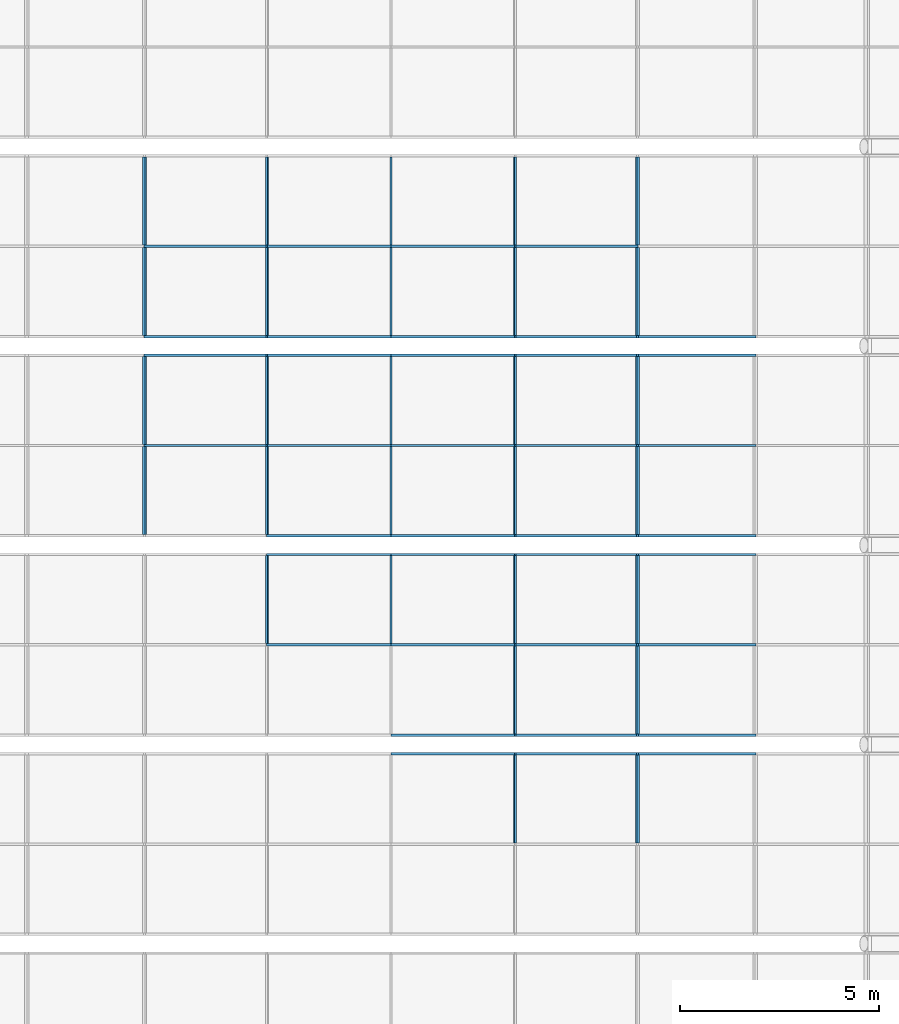
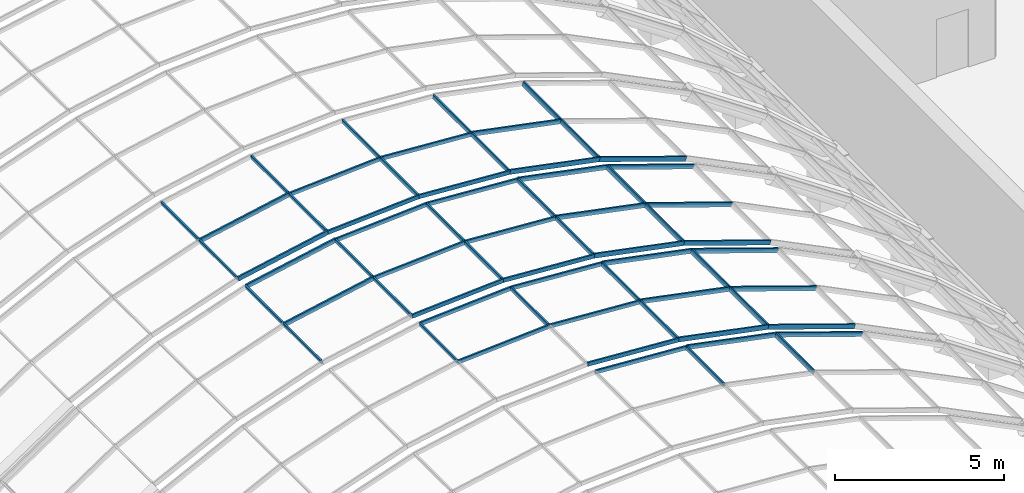
# One storey, part 76 of 182: 65 members, 4 elements without a shape of their own.
"""IFC4 building model written with IfcOpenShell, lengths in metres."""

import ifcopenshell
import ifcopenshell.guid

model = None  # the IFC model being written
_history = None  # IfcOwnerHistory: only IFC2X3 demands one
_inside = {}  # id of a spatial element -> (the spatial element, [elements in it])
_under = {}  # id of a project, library or spatial element -> (it, [spatial elements below it])
_declared = {}  # id of a project -> (the project, [libraries it declares])
_typed = {}  # id of a type object -> (the type object, [elements of that type])
_made_of = {}  # id of a material, layer set ... -> (it, [elements and type objects made of it])


def new_model(schema):
    """Start an empty IFC model of exactly this schema.

    Asked for "IFC4X3", IfcOpenShell would pick the latest addendum, in which some entities
    have other attributes; the version numbers below select the first issue.
    IFC2X3 requires an IfcOwnerHistory on every rooted entity: one is made here for all.
    """
    global model, _history
    if schema == "IFC4X3":
        model = ifcopenshell.file(schema_version=(4, 3, 0, 0))
    else:
        model = ifcopenshell.file(schema=schema)
    _inside.clear()
    _under.clear()
    _declared.clear()
    _typed.clear()
    _made_of.clear()
    _history = None
    if model.schema == "IFC2X3":
        org = make("IfcOrganization", Name="unknown")
        user = make(
            "IfcPersonAndOrganization",
            ThePerson=make("IfcPerson", FamilyName="unknown"),
            TheOrganization=org,
        )
        app = make(
            "IfcApplication",
            ApplicationDeveloper=org,
            Version="unknown",
            ApplicationFullName="unknown",
            ApplicationIdentifier="unknown",
        )
        _history = make(
            "IfcOwnerHistory",
            OwningUser=user,
            OwningApplication=app,
            ChangeAction="ADDED",
            CreationDate=0,
        )
    return model


def make(cls, **values):
    """One entity of the class cls with the attributes given. An attribute that is None is left unset."""
    return model.create_entity(
        cls, **{name: value for name, value in values.items() if value is not None}
    )


def rooted(cls, **values):
    """An entity with a GlobalId (a new one), such as an element, a storey or a relation."""
    return make(cls, GlobalId=ifcopenshell.guid.new(), OwnerHistory=_history, **values)


def si_unit(unit_type, name, prefix=None):
    """IfcSIUnit, for example si_unit("LENGTHUNIT", "METRE", prefix="MILLI")."""
    return make("IfcSIUnit", UnitType=unit_type, Prefix=prefix, Name=name)


def assignment(units):
    """IfcUnitAssignment: the units of a project."""
    return None if units is None else make("IfcUnitAssignment", Units=units)


def point(xyz):
    """IfcCartesianPoint."""
    return None if xyz is None else make("IfcCartesianPoint", Coordinates=xyz)


def direction(xyz):
    """IfcDirection."""
    return None if xyz is None else make("IfcDirection", DirectionRatios=xyz)


def frame(location, z_axis=None, x_axis=None):
    """IfcAxis2Placement3D, a coordinate frame: its origin and axes. An axis left out is left unset."""
    return make(
        "IfcAxis2Placement3D",
        Location=point(location),
        Axis=direction(z_axis),
        RefDirection=direction(x_axis),
    )


def frame_2d(location, x_axis=None):
    """IfcAxis2Placement2D, a coordinate frame in the plane: its origin and x axis."""
    return make(
        "IfcAxis2Placement2D", Location=point(location), RefDirection=direction(x_axis)
    )


def origin():
    """The frame at (0, 0, 0) with its axes left unset."""
    return frame((0.0, 0.0, 0.0))


def origin_2d():
    """The frame at (0, 0) in the plane with its x axis left unset."""
    return frame_2d((0.0, 0.0))


def place(relative_to, where):
    """IfcLocalPlacement: puts the frame where relative to a parent placement (None: the world)."""
    return make(
        "IfcLocalPlacement", PlacementRelTo=relative_to, RelativePlacement=where
    )


def context(
    kind, dimensions, precision=None, world=None, true_north=None, identifier=None
):
    """IfcGeometricRepresentationContext, for example the 3D "Model" context."""
    return make(
        "IfcGeometricRepresentationContext",
        ContextIdentifier=identifier,
        ContextType=kind,
        CoordinateSpaceDimension=dimensions,
        Precision=precision,
        WorldCoordinateSystem=world,
        TrueNorth=true_north,
    )


def subcontext(parent, identifier, kind, view, scale=None):
    """IfcGeometricRepresentationSubContext, for example "Body" below "Model"."""
    return make(
        "IfcGeometricRepresentationSubContext",
        ContextIdentifier=identifier,
        ContextType=kind,
        ParentContext=parent,
        TargetScale=scale,
        TargetView=view,
    )


def project(units=None, contexts=None):
    """IfcProject with its units and contexts."""
    return rooted(
        "IfcProject",
        Name="project",
        RepresentationContexts=contexts,
        UnitsInContext=assignment(units),
    )


def spatial(cls, under=None, at=None, **own):
    """A site, building, storey or space (cls), placed at a placement, below another one or the project."""
    s = rooted(cls, ObjectPlacement=at, **own)
    if under is not None:
        _under.setdefault(under.id(), (under, []))[1].append(s)
    return s


def profile(cls, at=None, kind="AREA", **sizes):
    """A parametric profile (cls). Its sizes go by their IFC names, for example OverallWidth=200.0."""
    return make(cls, ProfileType=kind, Position=at, **sizes)


def rectangle(**sizes):
    """IfcRectangleProfileDef."""
    return profile("IfcRectangleProfileDef", **sizes)


def extrude(swept, where, along, depth):
    """IfcExtrudedAreaSolid: the profile swept, set in the frame where, extruded along a direction by depth."""
    return make(
        "IfcExtrudedAreaSolid",
        SweptArea=swept,
        Position=where,
        ExtrudedDirection=direction(along),
        Depth=depth,
    )


def shape(context_of_items, identifier, shape_type, items):
    """IfcShapeRepresentation: the items that make up one representation, for example the "Body"."""
    return make(
        "IfcShapeRepresentation",
        ContextOfItems=context_of_items,
        RepresentationIdentifier=identifier,
        RepresentationType=shape_type,
        Items=items,
    )


def material(Name=None, Category=None):
    """IfcMaterial."""
    return make("IfcMaterial", Name=Name, Category=Category)


def material_profile(
    of_material, cross_section, Name=None, Category=None, Priority=None
):
    """IfcMaterialProfile: a cross section and its material."""
    return make(
        "IfcMaterialProfile",
        Name=Name,
        Material=of_material,
        Profile=cross_section,
        Priority=Priority,
        Category=Category,
    )


def profile_set(profiles, Name=None, composite=None):
    """IfcMaterialProfileSet."""
    return make(
        "IfcMaterialProfileSet",
        Name=Name,
        MaterialProfiles=profiles,
        CompositeProfile=composite,
    )


def made_of(thing, what):
    """Note that an element or type object is made of a material, layer set ...; save() writes the relation."""
    if what is not None:
        _made_of.setdefault(what.id(), (what, []))[1].append(thing)
    return thing


def type_object(cls, material=None, **own):
    """A type object (cls), such as IfcWallType, which elements share."""
    return made_of(rooted(cls, **own), material)


def element(
    cls,
    number,
    at=None,
    inside=None,
    cuts=None,
    type_object=None,
    material=None,
    context=None,
    identifier="Body",
    shape_type=None,
    held_by="IfcProductDefinitionShape",
    body=None,
    shapes=None,
    **own,
):
    """One element of the class cls, such as IfcWall. Its Tag is "e" and its number.

    at: its placement. inside: the storey or other place that contains it. cuts: it is an
    opening in that element (IfcRelVoidsElement). A single representation is given by context,
    identifier, shape_type and body (its items); several are given by shapes. held_by: the class
    of the entity that holds the representations. save() writes the other relations.
    """
    e = rooted(cls, Tag="e%d" % number, ObjectPlacement=at, **own)
    if body is not None:
        shapes = [shape(context, identifier, shape_type, body)]
    if shapes is not None:
        e.Representation = make(held_by, Representations=shapes)
    if inside is not None:
        _inside.setdefault(inside.id(), (inside, []))[1].append(e)
    if cuts is not None:
        rooted(
            "IfcRelVoidsElement", RelatingBuildingElement=cuts, RelatedOpeningElement=e
        )
    if type_object is not None:
        _typed.setdefault(type_object.id(), (type_object, []))[1].append(e)
    return made_of(e, material)


def aggregate(whole, parts):
    """IfcRelAggregates: a whole, such as a stair, and the parts it consists of."""
    return rooted("IfcRelAggregates", RelatingObject=whole, RelatedObjects=parts)


def save(model, path):
    """Write the relations noted so far, then the file.

    IfcRelAggregates (storeys below a building ...), IfcRelContainedInSpatialStructure (elements
    in a storey), IfcRelDefinesByType, IfcRelAssociatesMaterial and IfcRelDeclares: one each for
    every whole, place, type object, material and project.
    """
    for whole, parts in _under.values():
        aggregate(whole, parts)
    for where, things in _inside.values():
        rooted(
            "IfcRelContainedInSpatialStructure",
            RelatedElements=things,
            RelatingStructure=where,
        )
    for kind, things in _typed.values():
        rooted("IfcRelDefinesByType", RelatedObjects=things, RelatingType=kind)
    for what, things in _made_of.values():
        rooted("IfcRelAssociatesMaterial", RelatedObjects=things, RelatingMaterial=what)
    for by, libraries in _declared.values():
        rooted("IfcRelDeclares", RelatingContext=by, RelatedDefinitions=libraries)
    model.write(path)


model = new_model("IFC4")

# Units and contexts
model_context = context("Model", 3, precision=1e-05, world=origin(), true_north=direction((0.0, 1.0)))
body_context = subcontext(model_context, "Body", "Model", "MODEL_VIEW")
ifc_project = project(units=[si_unit("LENGTHUNIT", "METRE"), si_unit("AREAUNIT", "SQUARE_METRE"), si_unit("VOLUMEUNIT", "CUBIC_METRE"), si_unit("PLANEANGLEUNIT", "RADIAN"), si_unit("MASSUNIT", "GRAM", prefix="KILO")], contexts=[model_context])

# Site, building, storey
site_placement = place(None, origin())
site = spatial("IfcSite", under=ifc_project, at=site_placement, CompositionType="ELEMENT")
building_placement = place(site_placement, origin())
building = spatial("IfcBuilding", under=site, at=building_placement, Name="Okhra Congress Centre", CompositionType="ELEMENT")
storey_placement = place(building_placement, frame((0.0, 0.0, 7.199951171875)))
storey = spatial("IfcBuildingStorey", under=building, at=storey_placement, Name="L01", CompositionType="ELEMENT", Elevation=7.199951171875)

# Curtain wall, member
ifc_material_1 = material(Name="Aluminium frame with triple glazing", Category="aluminium")
curtain_wall_type = type_object("IfcCurtainWallType", Name="Glazed vault bay curtain wall", PredefinedType="NOTDEFINED", material=ifc_material_1)
curtain_wall_1_placement = place(storey_placement, origin())
curtain_wall_1 = element("IfcCurtainWall", 1, at=curtain_wall_1_placement, inside=storey, type_object=curtain_wall_type, Name="Vault glazing bay 19", PredefinedType="NOTDEFINED")
ifc_material_2 = material(Name="Aluminium alloy 6063", Category="aluminium")
ifc_material_profile_1 = material_profile(ifc_material_2, rectangle(XDim=0.06005859375, YDim=0.139892578125, at=origin_2d()), Name="AL 60x140")
ifc_profile_set_1 = profile_set([ifc_material_profile_1], Name="Aluminium alloy 6063")
member_type_1 = type_object("IfcMemberType", Name="Aluminium mullion 60x140", PredefinedType="MULLION", material=ifc_profile_set_1)
member_1_placement = place(storey_placement, frame((172.25, 170.766845703125, 8.945068359375), z_axis=(0.997826129775, 0.0, -0.065901553385), x_axis=(0.0, 1.0, 0.0)))
member_1 = element("IfcMember", 2, at=member_1_placement, type_object=member_type_1, Name="Vault mullion 19.3.7", PredefinedType="MULLION", context=body_context, shape_type="SweptSolid", body=[
    extrude(rectangle(XDim=0.06005859375, YDim=0.139892578125, at=origin_2d()), origin(), (0.0, 0.0, 1.0), 3.123046875),
])

# Curtain wall, members
curtain_wall_2_placement = place(storey_placement, origin())
curtain_wall_2 = element("IfcCurtainWall", 3, at=curtain_wall_2_placement, inside=storey, type_object=curtain_wall_type, Name="Vault glazing bay 20", PredefinedType="NOTDEFINED")
member_2_placement = place(storey_placement, frame((172.25, 171.233154296875, 8.945068359375), z_axis=(0.997826129775, 0.0, -0.065901553385), x_axis=(0.0, 1.0, 0.0)))
member_2 = element("IfcMember", 4, at=member_2_placement, type_object=member_type_1, Name="Vault mullion 20.1.7", PredefinedType="MULLION", context=body_context, shape_type="SweptSolid", body=[
    extrude(rectangle(XDim=0.06005859375, YDim=0.139892578125, at=origin_2d()), origin(), (0.0, 0.0, 1.0), 3.123046875),
])
member_3_placement = place(storey_placement, frame((169.1337890625, 173.5, 8.7392578125), z_axis=(0.997826129775, 0.0, 0.065901553385), x_axis=(0.0, 1.0, 0.0)))
member_3 = element("IfcMember", 5, at=member_3_placement, type_object=member_type_1, Name="Vault mullion 20.2.6", PredefinedType="MULLION", context=body_context, shape_type="SweptSolid", body=[
    extrude(rectangle(XDim=0.06005859375, YDim=0.139892578125, at=origin_2d()), origin(), (0.0, 0.0, 1.0), 3.123046875),
])
member_4_placement = place(storey_placement, frame((172.25, 173.5, 8.945068359375), z_axis=(0.997826129775, 0.0, -0.065901553385), x_axis=(0.0, 1.0, 0.0)))
member_4 = element("IfcMember", 6, at=member_4_placement, type_object=member_type_1, Name="Vault mullion 20.2.7", PredefinedType="MULLION", context=body_context, shape_type="SweptSolid", body=[
    extrude(rectangle(XDim=0.06005859375, YDim=0.139892578125, at=origin_2d()), origin(), (0.0, 0.0, 1.0), 3.123046875),
])
member_5_placement = place(storey_placement, frame((169.1337890625, 175.766845703125, 8.7392578125), z_axis=(0.997826129775, 0.0, 0.065901553385), x_axis=(0.0, 1.0, 0.0)))
member_5 = element("IfcMember", 7, at=member_5_placement, type_object=member_type_1, Name="Vault mullion 20.3.6", PredefinedType="MULLION", context=body_context, shape_type="SweptSolid", body=[
    extrude(rectangle(XDim=0.06005859375, YDim=0.139892578125, at=origin_2d()), origin(), (0.0, 0.0, 1.0), 3.123046875),
])
member_6_placement = place(storey_placement, frame((172.25, 175.766845703125, 8.945068359375), z_axis=(0.997826129775, 0.0, -0.065901553385), x_axis=(0.0, 1.0, 0.0)))
member_6 = element("IfcMember", 8, at=member_6_placement, type_object=member_type_1, Name="Vault mullion 20.3.7", PredefinedType="MULLION", context=body_context, shape_type="SweptSolid", body=[
    extrude(rectangle(XDim=0.06005859375, YDim=0.139892578125, at=origin_2d()), origin(), (0.0, 0.0, 1.0), 3.123046875),
])

curtain_wall_3_placement = place(storey_placement, origin())
curtain_wall_3 = element("IfcCurtainWall", 9, at=curtain_wall_3_placement, inside=storey, type_object=curtain_wall_type, Name="Vault glazing bay 21", PredefinedType="NOTDEFINED")
member_7_placement = place(storey_placement, frame((169.1337890625, 176.233154296875, 8.7392578125), z_axis=(0.997826129775, 0.0, 0.065901553385), x_axis=(0.0, 1.0, 0.0)))
member_7 = element("IfcMember", 10, at=member_7_placement, type_object=member_type_1, Name="Vault mullion 21.1.6", PredefinedType="MULLION", context=body_context, shape_type="SweptSolid", body=[
    extrude(rectangle(XDim=0.06005859375, YDim=0.139892578125, at=origin_2d()), origin(), (0.0, 0.0, 1.0), 3.123046875),
])
member_8_placement = place(storey_placement, frame((172.25, 176.233154296875, 8.945068359375), z_axis=(0.997826129775, 0.0, -0.065901553385), x_axis=(0.0, 1.0, 0.0)))
member_8 = element("IfcMember", 11, at=member_8_placement, type_object=member_type_1, Name="Vault mullion 21.1.7", PredefinedType="MULLION", context=body_context, shape_type="SweptSolid", body=[
    extrude(rectangle(XDim=0.06005859375, YDim=0.139892578125, at=origin_2d()), origin(), (0.0, 0.0, 1.0), 3.123046875),
])
member_9_placement = place(storey_placement, frame((169.1337890625, 178.5, 8.7392578125), z_axis=(0.997826129775, 0.0, 0.065901553385), x_axis=(0.0, 1.0, 0.0)))
member_9 = element("IfcMember", 12, at=member_9_placement, type_object=member_type_1, Name="Vault mullion 21.2.6", PredefinedType="MULLION", context=body_context, shape_type="SweptSolid", body=[
    extrude(rectangle(XDim=0.06005859375, YDim=0.139892578125, at=origin_2d()), origin(), (0.0, 0.0, 1.0), 3.123046875),
])
member_10_placement = place(storey_placement, frame((172.25, 178.5, 8.945068359375), z_axis=(0.997826129775, 0.0, -0.065901553385), x_axis=(0.0, 1.0, 0.0)))
member_10 = element("IfcMember", 13, at=member_10_placement, type_object=member_type_1, Name="Vault mullion 21.2.7", PredefinedType="MULLION", context=body_context, shape_type="SweptSolid", body=[
    extrude(rectangle(XDim=0.06005859375, YDim=0.139892578125, at=origin_2d()), origin(), (0.0, 0.0, 1.0), 3.123046875),
])
member_11_placement = place(storey_placement, frame((169.1337890625, 180.766845703125, 8.7392578125), z_axis=(0.997826129775, 0.0, 0.065901553385), x_axis=(0.0, 1.0, 0.0)))
member_11 = element("IfcMember", 14, at=member_11_placement, type_object=member_type_1, Name="Vault mullion 21.3.6", PredefinedType="MULLION", context=body_context, shape_type="SweptSolid", body=[
    extrude(rectangle(XDim=0.06005859375, YDim=0.139892578125, at=origin_2d()), origin(), (0.0, 0.0, 1.0), 3.123046875),
])
member_12_placement = place(storey_placement, frame((172.25, 180.766845703125, 8.945068359375), z_axis=(0.997826129775, 0.0, -0.065901553385), x_axis=(0.0, 1.0, 0.0)))
member_12 = element("IfcMember", 15, at=member_12_placement, type_object=member_type_1, Name="Vault mullion 21.3.7", PredefinedType="MULLION", context=body_context, shape_type="SweptSolid", body=[
    extrude(rectangle(XDim=0.06005859375, YDim=0.139892578125, at=origin_2d()), origin(), (0.0, 0.0, 1.0), 3.123046875),
])

curtain_wall_4_placement = place(storey_placement, origin())
curtain_wall_4 = element("IfcCurtainWall", 16, at=curtain_wall_4_placement, inside=storey, type_object=curtain_wall_type, Name="Vault glazing bay 22", PredefinedType="NOTDEFINED")
member_13_placement = place(storey_placement, frame((169.1337890625, 181.233154296875, 8.7392578125), z_axis=(0.997826129775, 0.0, 0.065901553385), x_axis=(0.0, 1.0, 0.0)))
member_13 = element("IfcMember", 17, at=member_13_placement, type_object=member_type_1, Name="Vault mullion 22.1.6", PredefinedType="MULLION", context=body_context, shape_type="SweptSolid", body=[
    extrude(rectangle(XDim=0.06005859375, YDim=0.139892578125, at=origin_2d()), origin(), (0.0, 0.0, 1.0), 3.123046875),
])
member_14_placement = place(storey_placement, frame((172.25, 181.233154296875, 8.945068359375), z_axis=(0.997826129775, 0.0, -0.065901553385), x_axis=(0.0, 1.0, 0.0)))
member_14 = element("IfcMember", 18, at=member_14_placement, type_object=member_type_1, Name="Vault mullion 22.1.7", PredefinedType="MULLION", context=body_context, shape_type="SweptSolid", body=[
    extrude(rectangle(XDim=0.06005859375, YDim=0.139892578125, at=origin_2d()), origin(), (0.0, 0.0, 1.0), 3.123046875),
])
member_15_placement = place(storey_placement, frame((169.1337890625, 183.5, 8.7392578125), z_axis=(0.997826129775, 0.0, 0.065901553385), x_axis=(0.0, 1.0, 0.0)))
member_15 = element("IfcMember", 19, at=member_15_placement, type_object=member_type_1, Name="Vault mullion 22.2.6", PredefinedType="MULLION", context=body_context, shape_type="SweptSolid", body=[
    extrude(rectangle(XDim=0.06005859375, YDim=0.139892578125, at=origin_2d()), origin(), (0.0, 0.0, 1.0), 3.123046875),
])
member_16_placement = place(storey_placement, frame((172.25, 183.5, 8.945068359375), z_axis=(0.997826129775, 0.0, -0.065901553385), x_axis=(0.0, 1.0, 0.0)))
member_16 = element("IfcMember", 20, at=member_16_placement, type_object=member_type_1, Name="Vault mullion 22.2.7", PredefinedType="MULLION", context=body_context, shape_type="SweptSolid", body=[
    extrude(rectangle(XDim=0.06005859375, YDim=0.139892578125, at=origin_2d()), origin(), (0.0, 0.0, 1.0), 3.123046875),
])

# Member
ifc_material_profile_2 = material_profile(ifc_material_2, rectangle(XDim=0.06005859375, YDim=0.159912109375, at=origin_2d()), Name="AL 60x160")
ifc_profile_set_2 = profile_set([ifc_material_profile_2], Name="Aluminium alloy 6063")
member_type_2 = type_object("IfcMemberType", Name="Aluminium mullion 60x160", PredefinedType="MULLION", material=ifc_profile_set_2)
member_17_placement = place(storey_placement, frame((175.367431640625, 170.766845703125, 8.7490234375), z_axis=(0.980484387086, 0.0, -0.196596965087), x_axis=(0.0, 1.0, 0.0)))
member_17 = element("IfcMember", 21, at=member_17_placement, type_object=member_type_2, Name="Vault mullion 19.3.8", PredefinedType="MULLION", context=body_context, shape_type="SweptSolid", body=[
    extrude(rectangle(XDim=0.06005859375, YDim=0.159912109375, at=origin_2d()), origin(), (0.0, 0.0, 1.0), 3.12451171875),
])

member_18_placement = place(storey_placement, frame((178.430908203125, 170.766845703125, 8.134765625), z_axis=(0.946065064306, 0.0, -0.323976687587), x_axis=(0.0, 1.0, 0.0)))
member_18 = element("IfcMember", 22, at=member_18_placement, type_object=member_type_2, Name="Vault mullion 19.3.9", PredefinedType="MULLION", context=body_context, shape_type="SweptSolid", body=[
    extrude(rectangle(XDim=0.06005859375, YDim=0.159912109375, at=origin_2d()), origin(), (0.0, 0.0, 1.0), 3.124267578125),
])

member_19_placement = place(storey_placement, frame((175.367431640625, 171.233154296875, 8.7490234375), z_axis=(0.980484387086, 0.0, -0.196596965087), x_axis=(0.0, 1.0, 0.0)))
member_19 = element("IfcMember", 23, at=member_19_placement, type_object=member_type_2, Name="Vault mullion 20.1.8", PredefinedType="MULLION", context=body_context, shape_type="SweptSolid", body=[
    extrude(rectangle(XDim=0.06005859375, YDim=0.159912109375, at=origin_2d()), origin(), (0.0, 0.0, 1.0), 3.12451171875),
])

member_20_placement = place(storey_placement, frame((178.430908203125, 171.233154296875, 8.134765625), z_axis=(0.946065064306, 0.0, -0.323976687587), x_axis=(0.0, 1.0, 0.0)))
member_20 = element("IfcMember", 24, at=member_20_placement, type_object=member_type_2, Name="Vault mullion 20.1.9", PredefinedType="MULLION", context=body_context, shape_type="SweptSolid", body=[
    extrude(rectangle(XDim=0.06005859375, YDim=0.159912109375, at=origin_2d()), origin(), (0.0, 0.0, 1.0), 3.124267578125),
])

member_21_placement = place(storey_placement, frame((175.367431640625, 173.5, 8.7490234375), z_axis=(0.980484387086, 0.0, -0.196596965087), x_axis=(0.0, 1.0, 0.0)))
member_21 = element("IfcMember", 25, at=member_21_placement, type_object=member_type_2, Name="Vault mullion 20.2.8", PredefinedType="MULLION", context=body_context, shape_type="SweptSolid", body=[
    extrude(rectangle(XDim=0.06005859375, YDim=0.159912109375, at=origin_2d()), origin(), (0.0, 0.0, 1.0), 3.12451171875),
])

member_22_placement = place(storey_placement, frame((178.430908203125, 173.5, 8.134765625), z_axis=(0.946065064306, 0.0, -0.323976687587), x_axis=(0.0, 1.0, 0.0)))
member_22 = element("IfcMember", 26, at=member_22_placement, type_object=member_type_2, Name="Vault mullion 20.2.9", PredefinedType="MULLION", context=body_context, shape_type="SweptSolid", body=[
    extrude(rectangle(XDim=0.06005859375, YDim=0.159912109375, at=origin_2d()), origin(), (0.0, 0.0, 1.0), 3.124267578125),
])

member_23_placement = place(storey_placement, frame((175.367431640625, 175.766845703125, 8.7490234375), z_axis=(0.980484387086, 0.0, -0.196596965087), x_axis=(0.0, 1.0, 0.0)))
member_23 = element("IfcMember", 27, at=member_23_placement, type_object=member_type_2, Name="Vault mullion 20.3.8", PredefinedType="MULLION", context=body_context, shape_type="SweptSolid", body=[
    extrude(rectangle(XDim=0.06005859375, YDim=0.159912109375, at=origin_2d()), origin(), (0.0, 0.0, 1.0), 3.12451171875),
])

member_24_placement = place(storey_placement, frame((178.430908203125, 175.766845703125, 8.134765625), z_axis=(0.946065064306, 0.0, -0.323976687587), x_axis=(0.0, 1.0, 0.0)))
member_24 = element("IfcMember", 28, at=member_24_placement, type_object=member_type_2, Name="Vault mullion 20.3.9", PredefinedType="MULLION", context=body_context, shape_type="SweptSolid", body=[
    extrude(rectangle(XDim=0.06005859375, YDim=0.159912109375, at=origin_2d()), origin(), (0.0, 0.0, 1.0), 3.124267578125),
])

member_25_placement = place(storey_placement, frame((175.367431640625, 176.233154296875, 8.7490234375), z_axis=(0.980484387086, 0.0, -0.196596965087), x_axis=(0.0, 1.0, 0.0)))
member_25 = element("IfcMember", 29, at=member_25_placement, type_object=member_type_2, Name="Vault mullion 21.1.8", PredefinedType="MULLION", context=body_context, shape_type="SweptSolid", body=[
    extrude(rectangle(XDim=0.06005859375, YDim=0.159912109375, at=origin_2d()), origin(), (0.0, 0.0, 1.0), 3.12451171875),
])

member_26_placement = place(storey_placement, frame((178.430908203125, 176.233154296875, 8.134765625), z_axis=(0.946065064306, 0.0, -0.323976687587), x_axis=(0.0, 1.0, 0.0)))
member_26 = element("IfcMember", 30, at=member_26_placement, type_object=member_type_2, Name="Vault mullion 21.1.9", PredefinedType="MULLION", context=body_context, shape_type="SweptSolid", body=[
    extrude(rectangle(XDim=0.06005859375, YDim=0.159912109375, at=origin_2d()), origin(), (0.0, 0.0, 1.0), 3.124267578125),
])

member_27_placement = place(storey_placement, frame((166.069091796875, 178.5, 8.134765625), z_axis=(0.980484387086, 0.0, 0.196596965087), x_axis=(0.0, 1.0, 0.0)))
member_27 = element("IfcMember", 31, at=member_27_placement, type_object=member_type_2, Name="Vault mullion 21.2.5", PredefinedType="MULLION", context=body_context, shape_type="SweptSolid", body=[
    extrude(rectangle(XDim=0.06005859375, YDim=0.159912109375, at=origin_2d()), origin(), (0.0, 0.0, 1.0), 3.12451171875),
])

member_28_placement = place(storey_placement, frame((175.367431640625, 178.5, 8.7490234375), z_axis=(0.980484387086, 0.0, -0.196596965087), x_axis=(0.0, 1.0, 0.0)))
member_28 = element("IfcMember", 32, at=member_28_placement, type_object=member_type_2, Name="Vault mullion 21.2.8", PredefinedType="MULLION", context=body_context, shape_type="SweptSolid", body=[
    extrude(rectangle(XDim=0.06005859375, YDim=0.159912109375, at=origin_2d()), origin(), (0.0, 0.0, 1.0), 3.12451171875),
])

member_29_placement = place(storey_placement, frame((178.430908203125, 178.5, 8.134765625), z_axis=(0.946065064306, 0.0, -0.323976687587), x_axis=(0.0, 1.0, 0.0)))
member_29 = element("IfcMember", 33, at=member_29_placement, type_object=member_type_2, Name="Vault mullion 21.2.9", PredefinedType="MULLION", context=body_context, shape_type="SweptSolid", body=[
    extrude(rectangle(XDim=0.06005859375, YDim=0.159912109375, at=origin_2d()), origin(), (0.0, 0.0, 1.0), 3.124267578125),
])

member_30_placement = place(storey_placement, frame((166.069091796875, 180.766845703125, 8.134765625), z_axis=(0.980484387086, 0.0, 0.196596965087), x_axis=(0.0, 1.0, 0.0)))
member_30 = element("IfcMember", 34, at=member_30_placement, type_object=member_type_2, Name="Vault mullion 21.3.5", PredefinedType="MULLION", context=body_context, shape_type="SweptSolid", body=[
    extrude(rectangle(XDim=0.06005859375, YDim=0.159912109375, at=origin_2d()), origin(), (0.0, 0.0, 1.0), 3.12451171875),
])

member_31_placement = place(storey_placement, frame((175.367431640625, 180.766845703125, 8.7490234375), z_axis=(0.980484387086, 0.0, -0.196596965087), x_axis=(0.0, 1.0, 0.0)))
member_31 = element("IfcMember", 35, at=member_31_placement, type_object=member_type_2, Name="Vault mullion 21.3.8", PredefinedType="MULLION", context=body_context, shape_type="SweptSolid", body=[
    extrude(rectangle(XDim=0.06005859375, YDim=0.159912109375, at=origin_2d()), origin(), (0.0, 0.0, 1.0), 3.12451171875),
])

member_32_placement = place(storey_placement, frame((178.430908203125, 180.766845703125, 8.134765625), z_axis=(0.946065064306, 0.0, -0.323976687587), x_axis=(0.0, 1.0, 0.0)))
member_32 = element("IfcMember", 36, at=member_32_placement, type_object=member_type_2, Name="Vault mullion 21.3.9", PredefinedType="MULLION", context=body_context, shape_type="SweptSolid", body=[
    extrude(rectangle(XDim=0.06005859375, YDim=0.159912109375, at=origin_2d()), origin(), (0.0, 0.0, 1.0), 3.124267578125),
])

member_33_placement = place(storey_placement, frame((166.069091796875, 181.233154296875, 8.134765625), z_axis=(0.980484387086, 0.0, 0.196596965087), x_axis=(0.0, 1.0, 0.0)))
member_33 = element("IfcMember", 37, at=member_33_placement, type_object=member_type_2, Name="Vault mullion 22.1.5", PredefinedType="MULLION", context=body_context, shape_type="SweptSolid", body=[
    extrude(rectangle(XDim=0.06005859375, YDim=0.159912109375, at=origin_2d()), origin(), (0.0, 0.0, 1.0), 3.12451171875),
])

member_34_placement = place(storey_placement, frame((175.367431640625, 181.233154296875, 8.7490234375), z_axis=(0.980484387086, 0.0, -0.196596965087), x_axis=(0.0, 1.0, 0.0)))
member_34 = element("IfcMember", 38, at=member_34_placement, type_object=member_type_2, Name="Vault mullion 22.1.8", PredefinedType="MULLION", context=body_context, shape_type="SweptSolid", body=[
    extrude(rectangle(XDim=0.06005859375, YDim=0.159912109375, at=origin_2d()), origin(), (0.0, 0.0, 1.0), 3.12451171875),
])

member_35_placement = place(storey_placement, frame((178.430908203125, 181.233154296875, 8.134765625), z_axis=(0.946065064306, 0.0, -0.323976687587), x_axis=(0.0, 1.0, 0.0)))
member_35 = element("IfcMember", 39, at=member_35_placement, type_object=member_type_2, Name="Vault mullion 22.1.9", PredefinedType="MULLION", context=body_context, shape_type="SweptSolid", body=[
    extrude(rectangle(XDim=0.06005859375, YDim=0.159912109375, at=origin_2d()), origin(), (0.0, 0.0, 1.0), 3.124267578125),
])

member_36_placement = place(storey_placement, frame((166.069091796875, 183.5, 8.134765625), z_axis=(0.980484387086, 0.0, 0.196596965087), x_axis=(0.0, 1.0, 0.0)))
member_36 = element("IfcMember", 40, at=member_36_placement, type_object=member_type_2, Name="Vault mullion 22.2.5", PredefinedType="MULLION", context=body_context, shape_type="SweptSolid", body=[
    extrude(rectangle(XDim=0.06005859375, YDim=0.159912109375, at=origin_2d()), origin(), (0.0, 0.0, 1.0), 3.12451171875),
])

member_37_placement = place(storey_placement, frame((175.367431640625, 183.5, 8.7490234375), z_axis=(0.980484387086, 0.0, -0.196596965087), x_axis=(0.0, 1.0, 0.0)))
member_37 = element("IfcMember", 41, at=member_37_placement, type_object=member_type_2, Name="Vault mullion 22.2.8", PredefinedType="MULLION", context=body_context, shape_type="SweptSolid", body=[
    extrude(rectangle(XDim=0.06005859375, YDim=0.159912109375, at=origin_2d()), origin(), (0.0, 0.0, 1.0), 3.12451171875),
])

ifc_material_profile_3 = material_profile(ifc_material_2, rectangle(XDim=0.06005859375, YDim=0.139892578125, at=origin_2d()), Name="AL 60x140 transom")
ifc_profile_set_3 = profile_set([ifc_material_profile_3], Name="Aluminium alloy 6063")
member_type_3 = type_object("IfcMemberType", Name="Aluminium transom 60x140", PredefinedType="USERDEFINED", material=ifc_profile_set_3)
member_38_placement = place(storey_placement, frame((175.3662109375, 168.530029296875, 8.7392578125), z_axis=(0.0, 1.0, 0.0), x_axis=(-0.991307202734, 0.0, 0.131567586459)))
member_38 = element("IfcMember", 42, at=member_38_placement, type_object=member_type_3, Name="Vault transom 19.2.8", ObjectType="TRANSOM", PredefinedType="USERDEFINED", context=body_context, shape_type="SweptSolid", body=[
    extrude(rectangle(XDim=0.06005859375, YDim=0.139892578125, at=origin_2d()), origin(), (0.0, 0.0, 1.0), 2.206787109375),
])

member_39_placement = place(storey_placement, frame((175.3662109375, 171.26318359375, 8.7392578125), z_axis=(0.0, 1.0, 0.0), x_axis=(-0.991307202734, 0.0, 0.131567586459)))
member_39 = element("IfcMember", 43, at=member_39_placement, type_object=member_type_3, Name="Vault transom 20.1.8", ObjectType="TRANSOM", PredefinedType="USERDEFINED", context=body_context, shape_type="SweptSolid", body=[
    extrude(rectangle(XDim=0.06005859375, YDim=0.139892578125, at=origin_2d()), origin(), (0.0, 0.0, 1.0), 2.206787109375),
])

member_40_placement = place(storey_placement, frame((169.1337890625, 173.530029296875, 8.7392578125), z_axis=(0.0, 1.0, 0.0), x_axis=(-0.991307202734, 0.0, -0.131567586459)))
member_40 = element("IfcMember", 44, at=member_40_placement, type_object=member_type_3, Name="Vault transom 20.2.6", ObjectType="TRANSOM", PredefinedType="USERDEFINED", context=body_context, shape_type="SweptSolid", body=[
    extrude(rectangle(XDim=0.06005859375, YDim=0.139892578125, at=origin_2d()), origin(), (0.0, 0.0, 1.0), 2.206787109375),
])

member_41_placement = place(storey_placement, frame((172.25, 173.530029296875, 8.945068359375), z_axis=(0.0, 1.0, 0.0), x_axis=(-1.0, 0.0, 0.0)))
member_41 = element("IfcMember", 45, at=member_41_placement, type_object=member_type_3, Name="Vault transom 20.2.7", ObjectType="TRANSOM", PredefinedType="USERDEFINED", context=body_context, shape_type="SweptSolid", body=[
    extrude(rectangle(XDim=0.06005859375, YDim=0.139892578125, at=origin_2d()), origin(), (0.0, 0.0, 1.0), 2.206787109375),
])

member_42_placement = place(storey_placement, frame((175.3662109375, 173.530029296875, 8.7392578125), z_axis=(0.0, 1.0, 0.0), x_axis=(-0.991307202734, 0.0, 0.131567586459)))
member_42 = element("IfcMember", 46, at=member_42_placement, type_object=member_type_3, Name="Vault transom 20.2.8", ObjectType="TRANSOM", PredefinedType="USERDEFINED", context=body_context, shape_type="SweptSolid", body=[
    extrude(rectangle(XDim=0.06005859375, YDim=0.139892578125, at=origin_2d()), origin(), (0.0, 0.0, 1.0), 2.206787109375),
])

member_43_placement = place(storey_placement, frame((169.1337890625, 176.26318359375, 8.7392578125), z_axis=(0.0, 1.0, 0.0), x_axis=(-0.991307202734, 0.0, -0.131567586459)))
member_43 = element("IfcMember", 47, at=member_43_placement, type_object=member_type_3, Name="Vault transom 21.1.6", ObjectType="TRANSOM", PredefinedType="USERDEFINED", context=body_context, shape_type="SweptSolid", body=[
    extrude(rectangle(XDim=0.06005859375, YDim=0.139892578125, at=origin_2d()), origin(), (0.0, 0.0, 1.0), 2.206787109375),
])

member_44_placement = place(storey_placement, frame((172.25, 176.26318359375, 8.945068359375), z_axis=(0.0, 1.0, 0.0), x_axis=(-1.0, 0.0, 0.0)))
member_44 = element("IfcMember", 48, at=member_44_placement, type_object=member_type_3, Name="Vault transom 21.1.7", ObjectType="TRANSOM", PredefinedType="USERDEFINED", context=body_context, shape_type="SweptSolid", body=[
    extrude(rectangle(XDim=0.06005859375, YDim=0.139892578125, at=origin_2d()), origin(), (0.0, 0.0, 1.0), 2.206787109375),
])

member_45_placement = place(storey_placement, frame((175.3662109375, 176.26318359375, 8.7392578125), z_axis=(0.0, 1.0, 0.0), x_axis=(-0.991307202734, 0.0, 0.131567586459)))
member_45 = element("IfcMember", 49, at=member_45_placement, type_object=member_type_3, Name="Vault transom 21.1.8", ObjectType="TRANSOM", PredefinedType="USERDEFINED", context=body_context, shape_type="SweptSolid", body=[
    extrude(rectangle(XDim=0.06005859375, YDim=0.139892578125, at=origin_2d()), origin(), (0.0, 0.0, 1.0), 2.206787109375),
])

member_46_placement = place(storey_placement, frame((169.1337890625, 178.530029296875, 8.7392578125), z_axis=(0.0, 1.0, 0.0), x_axis=(-0.991307202734, 0.0, -0.131567586459)))
member_46 = element("IfcMember", 50, at=member_46_placement, type_object=member_type_3, Name="Vault transom 21.2.6", ObjectType="TRANSOM", PredefinedType="USERDEFINED", context=body_context, shape_type="SweptSolid", body=[
    extrude(rectangle(XDim=0.06005859375, YDim=0.139892578125, at=origin_2d()), origin(), (0.0, 0.0, 1.0), 2.206787109375),
])

member_47_placement = place(storey_placement, frame((172.25, 178.530029296875, 8.945068359375), z_axis=(0.0, 1.0, 0.0), x_axis=(-1.0, 0.0, 0.0)))
member_47 = element("IfcMember", 51, at=member_47_placement, type_object=member_type_3, Name="Vault transom 21.2.7", ObjectType="TRANSOM", PredefinedType="USERDEFINED", context=body_context, shape_type="SweptSolid", body=[
    extrude(rectangle(XDim=0.06005859375, YDim=0.139892578125, at=origin_2d()), origin(), (0.0, 0.0, 1.0), 2.206787109375),
])

member_48_placement = place(storey_placement, frame((175.3662109375, 178.530029296875, 8.7392578125), z_axis=(0.0, 1.0, 0.0), x_axis=(-0.991307202734, 0.0, 0.131567586459)))
member_48 = element("IfcMember", 52, at=member_48_placement, type_object=member_type_3, Name="Vault transom 21.2.8", ObjectType="TRANSOM", PredefinedType="USERDEFINED", context=body_context, shape_type="SweptSolid", body=[
    extrude(rectangle(XDim=0.06005859375, YDim=0.139892578125, at=origin_2d()), origin(), (0.0, 0.0, 1.0), 2.206787109375),
])

member_49_placement = place(storey_placement, frame((169.1337890625, 181.26318359375, 8.7392578125), z_axis=(0.0, 1.0, 0.0), x_axis=(-0.991307202734, 0.0, -0.131567586459)))
member_49 = element("IfcMember", 53, at=member_49_placement, type_object=member_type_3, Name="Vault transom 22.1.6", ObjectType="TRANSOM", PredefinedType="USERDEFINED", context=body_context, shape_type="SweptSolid", body=[
    extrude(rectangle(XDim=0.06005859375, YDim=0.139892578125, at=origin_2d()), origin(), (0.0, 0.0, 1.0), 2.206787109375),
])

member_50_placement = place(storey_placement, frame((172.25, 181.26318359375, 8.945068359375), z_axis=(0.0, 1.0, 0.0), x_axis=(-1.0, 0.0, 0.0)))
member_50 = element("IfcMember", 54, at=member_50_placement, type_object=member_type_3, Name="Vault transom 22.1.7", ObjectType="TRANSOM", PredefinedType="USERDEFINED", context=body_context, shape_type="SweptSolid", body=[
    extrude(rectangle(XDim=0.06005859375, YDim=0.139892578125, at=origin_2d()), origin(), (0.0, 0.0, 1.0), 2.206787109375),
])

member_51_placement = place(storey_placement, frame((175.3662109375, 181.26318359375, 8.7392578125), z_axis=(0.0, 1.0, 0.0), x_axis=(-0.991307202734, 0.0, 0.131567586459)))
member_51 = element("IfcMember", 55, at=member_51_placement, type_object=member_type_3, Name="Vault transom 22.1.8", ObjectType="TRANSOM", PredefinedType="USERDEFINED", context=body_context, shape_type="SweptSolid", body=[
    extrude(rectangle(XDim=0.06005859375, YDim=0.139892578125, at=origin_2d()), origin(), (0.0, 0.0, 1.0), 2.206787109375),
])

member_52_placement = place(storey_placement, frame((169.1337890625, 183.530029296875, 8.7392578125), z_axis=(0.0, 1.0, 0.0), x_axis=(-0.991307202734, 0.0, -0.131567586459)))
member_52 = element("IfcMember", 56, at=member_52_placement, type_object=member_type_3, Name="Vault transom 22.2.6", ObjectType="TRANSOM", PredefinedType="USERDEFINED", context=body_context, shape_type="SweptSolid", body=[
    extrude(rectangle(XDim=0.06005859375, YDim=0.139892578125, at=origin_2d()), origin(), (0.0, 0.0, 1.0), 2.206787109375),
])

member_53_placement = place(storey_placement, frame((172.25, 183.530029296875, 8.945068359375), z_axis=(0.0, 1.0, 0.0), x_axis=(-1.0, 0.0, 0.0)))
member_53 = element("IfcMember", 57, at=member_53_placement, type_object=member_type_3, Name="Vault transom 22.2.7", ObjectType="TRANSOM", PredefinedType="USERDEFINED", context=body_context, shape_type="SweptSolid", body=[
    extrude(rectangle(XDim=0.06005859375, YDim=0.139892578125, at=origin_2d()), origin(), (0.0, 0.0, 1.0), 2.206787109375),
])

member_54_placement = place(storey_placement, frame((175.3662109375, 183.530029296875, 8.7392578125), z_axis=(0.0, 1.0, 0.0), x_axis=(-0.991307202734, 0.0, 0.131567586459)))
member_54 = element("IfcMember", 58, at=member_54_placement, type_object=member_type_3, Name="Vault transom 22.2.8", ObjectType="TRANSOM", PredefinedType="USERDEFINED", context=body_context, shape_type="SweptSolid", body=[
    extrude(rectangle(XDim=0.06005859375, YDim=0.139892578125, at=origin_2d()), origin(), (0.0, 0.0, 1.0), 2.206787109375),
])

ifc_material_profile_4 = material_profile(ifc_material_2, rectangle(XDim=0.06005859375, YDim=0.159912109375, at=origin_2d()), Name="AL 60x160 transom")
ifc_profile_set_4 = profile_set([ifc_material_profile_4], Name="Aluminium alloy 6063")
member_type_4 = type_object("IfcMemberType", Name="Aluminium transom 60x160", PredefinedType="USERDEFINED", material=ifc_profile_set_4)
member_55_placement = place(storey_placement, frame((178.430908203125, 168.530029296875, 8.134765625), z_axis=(0.0, 1.0, 0.0), x_axis=(-0.965379940391, 0.0, 0.260847792191)))
member_55 = element("IfcMember", 59, at=member_55_placement, type_object=member_type_4, Name="Vault transom 19.2.9", ObjectType="TRANSOM", PredefinedType="USERDEFINED", context=body_context, shape_type="SweptSolid", body=[
    extrude(rectangle(XDim=0.06005859375, YDim=0.159912109375, at=origin_2d()), origin(), (0.0, 0.0, 1.0), 2.206787109375),
])

aggregate(curtain_wall_1, [member_1, member_17, member_18, member_38, member_55])

member_56_placement = place(storey_placement, frame((178.430908203125, 171.26318359375, 8.134765625), z_axis=(0.0, 1.0, 0.0), x_axis=(-0.965379940391, 0.0, 0.260847792191)))
member_56 = element("IfcMember", 60, at=member_56_placement, type_object=member_type_4, Name="Vault transom 20.1.9", ObjectType="TRANSOM", PredefinedType="USERDEFINED", context=body_context, shape_type="SweptSolid", body=[
    extrude(rectangle(XDim=0.06005859375, YDim=0.159912109375, at=origin_2d()), origin(), (0.0, 0.0, 1.0), 2.206787109375),
])

member_57_placement = place(storey_placement, frame((178.430908203125, 173.530029296875, 8.134765625), z_axis=(0.0, 1.0, 0.0), x_axis=(-0.965379940391, 0.0, 0.260847792191)))
member_57 = element("IfcMember", 61, at=member_57_placement, type_object=member_type_4, Name="Vault transom 20.2.9", ObjectType="TRANSOM", PredefinedType="USERDEFINED", context=body_context, shape_type="SweptSolid", body=[
    extrude(rectangle(XDim=0.06005859375, YDim=0.159912109375, at=origin_2d()), origin(), (0.0, 0.0, 1.0), 2.206787109375),
])

aggregate(curtain_wall_2, [member_2, member_19, member_20, member_3, member_4, member_21, member_22, member_5, member_6, member_23, member_24, member_39, member_56, member_40, member_41, member_42, member_57])

member_58_placement = place(storey_placement, frame((166.069091796875, 176.26318359375, 8.134765625), z_axis=(0.0, 1.0, 0.0), x_axis=(-0.965379940391, 0.0, -0.260847792191)))
member_58 = element("IfcMember", 62, at=member_58_placement, type_object=member_type_4, Name="Vault transom 21.1.5", ObjectType="TRANSOM", PredefinedType="USERDEFINED", context=body_context, shape_type="SweptSolid", body=[
    extrude(rectangle(XDim=0.06005859375, YDim=0.159912109375, at=origin_2d()), origin(), (0.0, 0.0, 1.0), 2.206787109375),
])

member_59_placement = place(storey_placement, frame((178.430908203125, 176.26318359375, 8.134765625), z_axis=(0.0, 1.0, 0.0), x_axis=(-0.965379940391, 0.0, 0.260847792191)))
member_59 = element("IfcMember", 63, at=member_59_placement, type_object=member_type_4, Name="Vault transom 21.1.9", ObjectType="TRANSOM", PredefinedType="USERDEFINED", context=body_context, shape_type="SweptSolid", body=[
    extrude(rectangle(XDim=0.06005859375, YDim=0.159912109375, at=origin_2d()), origin(), (0.0, 0.0, 1.0), 2.206787109375),
])

member_60_placement = place(storey_placement, frame((166.069091796875, 178.530029296875, 8.134765625), z_axis=(0.0, 1.0, 0.0), x_axis=(-0.965379940391, 0.0, -0.260847792191)))
member_60 = element("IfcMember", 64, at=member_60_placement, type_object=member_type_4, Name="Vault transom 21.2.5", ObjectType="TRANSOM", PredefinedType="USERDEFINED", context=body_context, shape_type="SweptSolid", body=[
    extrude(rectangle(XDim=0.06005859375, YDim=0.159912109375, at=origin_2d()), origin(), (0.0, 0.0, 1.0), 2.206787109375),
])

member_61_placement = place(storey_placement, frame((178.430908203125, 178.530029296875, 8.134765625), z_axis=(0.0, 1.0, 0.0), x_axis=(-0.965379940391, 0.0, 0.260847792191)))
member_61 = element("IfcMember", 65, at=member_61_placement, type_object=member_type_4, Name="Vault transom 21.2.9", ObjectType="TRANSOM", PredefinedType="USERDEFINED", context=body_context, shape_type="SweptSolid", body=[
    extrude(rectangle(XDim=0.06005859375, YDim=0.159912109375, at=origin_2d()), origin(), (0.0, 0.0, 1.0), 2.206787109375),
])

aggregate(curtain_wall_3, [member_7, member_8, member_25, member_26, member_27, member_9, member_10, member_28, member_29, member_30, member_11, member_12, member_31, member_32, member_58, member_43, member_44, member_45, member_59, member_60, member_46, member_47, member_48, member_61])

member_62_placement = place(storey_placement, frame((166.069091796875, 181.26318359375, 8.134765625), z_axis=(0.0, 1.0, 0.0), x_axis=(-0.965379940391, 0.0, -0.260847792191)))
member_62 = element("IfcMember", 66, at=member_62_placement, type_object=member_type_4, Name="Vault transom 22.1.5", ObjectType="TRANSOM", PredefinedType="USERDEFINED", context=body_context, shape_type="SweptSolid", body=[
    extrude(rectangle(XDim=0.06005859375, YDim=0.159912109375, at=origin_2d()), origin(), (0.0, 0.0, 1.0), 2.206787109375),
])

member_63_placement = place(storey_placement, frame((178.430908203125, 181.26318359375, 8.134765625), z_axis=(0.0, 1.0, 0.0), x_axis=(-0.965379940391, 0.0, 0.260847792191)))
member_63 = element("IfcMember", 67, at=member_63_placement, type_object=member_type_4, Name="Vault transom 22.1.9", ObjectType="TRANSOM", PredefinedType="USERDEFINED", context=body_context, shape_type="SweptSolid", body=[
    extrude(rectangle(XDim=0.06005859375, YDim=0.159912109375, at=origin_2d()), origin(), (0.0, 0.0, 1.0), 2.206787109375),
])

member_64_placement = place(storey_placement, frame((166.069091796875, 183.530029296875, 8.134765625), z_axis=(0.0, 1.0, 0.0), x_axis=(-0.965379940391, 0.0, -0.260847792191)))
member_64 = element("IfcMember", 68, at=member_64_placement, type_object=member_type_4, Name="Vault transom 22.2.5", ObjectType="TRANSOM", PredefinedType="USERDEFINED", context=body_context, shape_type="SweptSolid", body=[
    extrude(rectangle(XDim=0.06005859375, YDim=0.159912109375, at=origin_2d()), origin(), (0.0, 0.0, 1.0), 2.206787109375),
])

member_65_placement = place(storey_placement, frame((178.430908203125, 183.530029296875, 8.134765625), z_axis=(0.0, 1.0, 0.0), x_axis=(-0.965379940391, 0.0, 0.260847792191)))
member_65 = element("IfcMember", 69, at=member_65_placement, type_object=member_type_4, Name="Vault transom 22.2.9", ObjectType="TRANSOM", PredefinedType="USERDEFINED", context=body_context, shape_type="SweptSolid", body=[
    extrude(rectangle(XDim=0.06005859375, YDim=0.159912109375, at=origin_2d()), origin(), (0.0, 0.0, 1.0), 2.206787109375),
])

aggregate(curtain_wall_4, [member_33, member_13, member_14, member_34, member_35, member_36, member_15, member_16, member_37, member_62, member_49, member_50, member_51, member_63, member_64, member_52, member_53, member_54, member_65])

save(model, "model.ifc")
